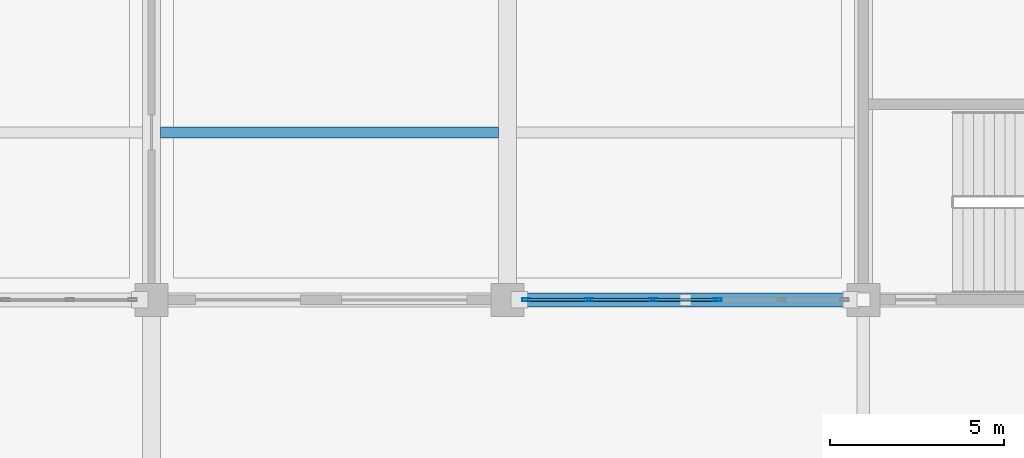
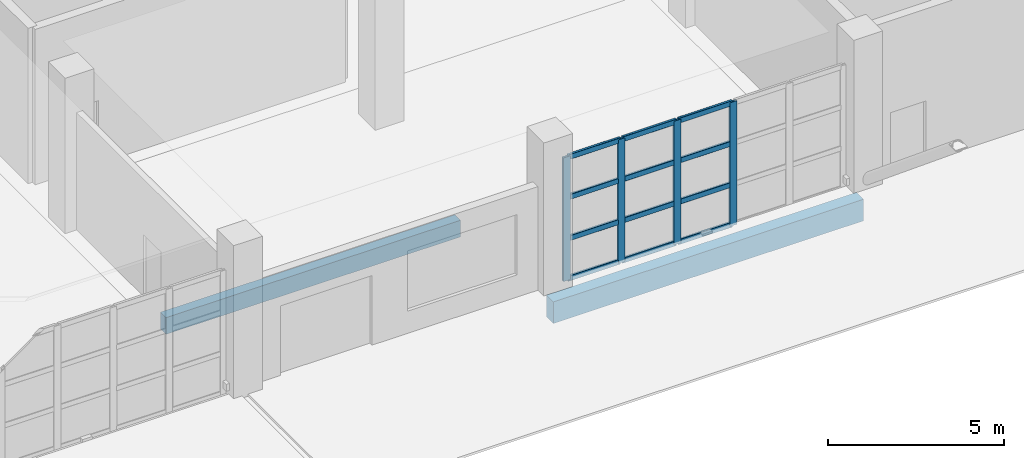
# One storey, part 56 of 124: 16 members, 2 beams, 1 element without a shape of its own.
"""IFC4 building model written with IfcOpenShell, lengths in metres."""

import ifcopenshell
import ifcopenshell.guid

model = None  # the IFC model being written
_history = None  # IfcOwnerHistory: only IFC2X3 demands one
_inside = {}  # id of a spatial element -> (the spatial element, [elements in it])
_under = {}  # id of a project, library or spatial element -> (it, [spatial elements below it])
_declared = {}  # id of a project -> (the project, [libraries it declares])
_typed = {}  # id of a type object -> (the type object, [elements of that type])
_made_of = {}  # id of a material, layer set ... -> (it, [elements and type objects made of it])


def new_model(schema):
    """Start an empty IFC model of exactly this schema.

    Asked for "IFC4X3", IfcOpenShell would pick the latest addendum, in which some entities
    have other attributes; the version numbers below select the first issue.
    IFC2X3 requires an IfcOwnerHistory on every rooted entity: one is made here for all.
    """
    global model, _history
    if schema == "IFC4X3":
        model = ifcopenshell.file(schema_version=(4, 3, 0, 0))
    else:
        model = ifcopenshell.file(schema=schema)
    _inside.clear()
    _under.clear()
    _declared.clear()
    _typed.clear()
    _made_of.clear()
    _history = None
    if model.schema == "IFC2X3":
        org = make("IfcOrganization", Name="unknown")
        user = make(
            "IfcPersonAndOrganization",
            ThePerson=make("IfcPerson", FamilyName="unknown"),
            TheOrganization=org,
        )
        app = make(
            "IfcApplication",
            ApplicationDeveloper=org,
            Version="unknown",
            ApplicationFullName="unknown",
            ApplicationIdentifier="unknown",
        )
        _history = make(
            "IfcOwnerHistory",
            OwningUser=user,
            OwningApplication=app,
            ChangeAction="ADDED",
            CreationDate=0,
        )
    return model


def make(cls, **values):
    """One entity of the class cls with the attributes given. An attribute that is None is left unset."""
    return model.create_entity(
        cls, **{name: value for name, value in values.items() if value is not None}
    )


def rooted(cls, **values):
    """An entity with a GlobalId (a new one), such as an element, a storey or a relation."""
    return make(cls, GlobalId=ifcopenshell.guid.new(), OwnerHistory=_history, **values)


def si_unit(unit_type, name, prefix=None):
    """IfcSIUnit, for example si_unit("LENGTHUNIT", "METRE", prefix="MILLI")."""
    return make("IfcSIUnit", UnitType=unit_type, Prefix=prefix, Name=name)


def assignment(units):
    """IfcUnitAssignment: the units of a project."""
    return None if units is None else make("IfcUnitAssignment", Units=units)


def point(xyz):
    """IfcCartesianPoint."""
    return None if xyz is None else make("IfcCartesianPoint", Coordinates=xyz)


def direction(xyz):
    """IfcDirection."""
    return None if xyz is None else make("IfcDirection", DirectionRatios=xyz)


def frame(location, z_axis=None, x_axis=None):
    """IfcAxis2Placement3D, a coordinate frame: its origin and axes. An axis left out is left unset."""
    return make(
        "IfcAxis2Placement3D",
        Location=point(location),
        Axis=direction(z_axis),
        RefDirection=direction(x_axis),
    )


def frame_2d(location, x_axis=None):
    """IfcAxis2Placement2D, a coordinate frame in the plane: its origin and x axis."""
    return make(
        "IfcAxis2Placement2D", Location=point(location), RefDirection=direction(x_axis)
    )


def origin():
    """The frame at (0, 0, 0) with its axes left unset."""
    return frame((0.0, 0.0, 0.0))


def origin_2d():
    """The frame at (0, 0) in the plane with its x axis left unset."""
    return frame_2d((0.0, 0.0))


def place(relative_to, where):
    """IfcLocalPlacement: puts the frame where relative to a parent placement (None: the world)."""
    return make(
        "IfcLocalPlacement", PlacementRelTo=relative_to, RelativePlacement=where
    )


def context(
    kind, dimensions, precision=None, world=None, true_north=None, identifier=None
):
    """IfcGeometricRepresentationContext, for example the 3D "Model" context."""
    return make(
        "IfcGeometricRepresentationContext",
        ContextIdentifier=identifier,
        ContextType=kind,
        CoordinateSpaceDimension=dimensions,
        Precision=precision,
        WorldCoordinateSystem=world,
        TrueNorth=true_north,
    )


def subcontext(parent, identifier, kind, view, scale=None):
    """IfcGeometricRepresentationSubContext, for example "Body" below "Model"."""
    return make(
        "IfcGeometricRepresentationSubContext",
        ContextIdentifier=identifier,
        ContextType=kind,
        ParentContext=parent,
        TargetScale=scale,
        TargetView=view,
    )


def project(units=None, contexts=None):
    """IfcProject with its units and contexts."""
    return rooted(
        "IfcProject",
        Name="project",
        RepresentationContexts=contexts,
        UnitsInContext=assignment(units),
    )


def spatial(cls, under=None, at=None, **own):
    """A site, building, storey or space (cls), placed at a placement, below another one or the project."""
    s = rooted(cls, ObjectPlacement=at, **own)
    if under is not None:
        _under.setdefault(under.id(), (under, []))[1].append(s)
    return s


def profile(cls, at=None, kind="AREA", **sizes):
    """A parametric profile (cls). Its sizes go by their IFC names, for example OverallWidth=200.0."""
    return make(cls, ProfileType=kind, Position=at, **sizes)


def rectangle(**sizes):
    """IfcRectangleProfileDef."""
    return profile("IfcRectangleProfileDef", **sizes)


def hollow_rectangle(**sizes):
    """IfcRectangleHollowProfileDef."""
    return profile("IfcRectangleHollowProfileDef", **sizes)


def extrude(swept, where, along, depth):
    """IfcExtrudedAreaSolid: the profile swept, set in the frame where, extruded along a direction by depth."""
    return make(
        "IfcExtrudedAreaSolid",
        SweptArea=swept,
        Position=where,
        ExtrudedDirection=direction(along),
        Depth=depth,
    )


def shape(context_of_items, identifier, shape_type, items):
    """IfcShapeRepresentation: the items that make up one representation, for example the "Body"."""
    return make(
        "IfcShapeRepresentation",
        ContextOfItems=context_of_items,
        RepresentationIdentifier=identifier,
        RepresentationType=shape_type,
        Items=items,
    )


def material(Name=None, Category=None):
    """IfcMaterial."""
    return make("IfcMaterial", Name=Name, Category=Category)


def material_profile(
    of_material, cross_section, Name=None, Category=None, Priority=None
):
    """IfcMaterialProfile: a cross section and its material."""
    return make(
        "IfcMaterialProfile",
        Name=Name,
        Material=of_material,
        Profile=cross_section,
        Priority=Priority,
        Category=Category,
    )


def profile_set(profiles, Name=None, composite=None):
    """IfcMaterialProfileSet."""
    return make(
        "IfcMaterialProfileSet",
        Name=Name,
        MaterialProfiles=profiles,
        CompositeProfile=composite,
    )


def made_of(thing, what):
    """Note that an element or type object is made of a material, layer set ...; save() writes the relation."""
    if what is not None:
        _made_of.setdefault(what.id(), (what, []))[1].append(thing)
    return thing


def type_object(cls, material=None, **own):
    """A type object (cls), such as IfcWallType, which elements share."""
    return made_of(rooted(cls, **own), material)


def element(
    cls,
    number,
    at=None,
    inside=None,
    cuts=None,
    type_object=None,
    material=None,
    context=None,
    identifier="Body",
    shape_type=None,
    held_by="IfcProductDefinitionShape",
    body=None,
    shapes=None,
    **own,
):
    """One element of the class cls, such as IfcWall. Its Tag is "e" and its number.

    at: its placement. inside: the storey or other place that contains it. cuts: it is an
    opening in that element (IfcRelVoidsElement). A single representation is given by context,
    identifier, shape_type and body (its items); several are given by shapes. held_by: the class
    of the entity that holds the representations. save() writes the other relations.
    """
    e = rooted(cls, Tag="e%d" % number, ObjectPlacement=at, **own)
    if body is not None:
        shapes = [shape(context, identifier, shape_type, body)]
    if shapes is not None:
        e.Representation = make(held_by, Representations=shapes)
    if inside is not None:
        _inside.setdefault(inside.id(), (inside, []))[1].append(e)
    if cuts is not None:
        rooted(
            "IfcRelVoidsElement", RelatingBuildingElement=cuts, RelatedOpeningElement=e
        )
    if type_object is not None:
        _typed.setdefault(type_object.id(), (type_object, []))[1].append(e)
    return made_of(e, material)


def aggregate(whole, parts):
    """IfcRelAggregates: a whole, such as a stair, and the parts it consists of."""
    return rooted("IfcRelAggregates", RelatingObject=whole, RelatedObjects=parts)


def save(model, path):
    """Write the relations noted so far, then the file.

    IfcRelAggregates (storeys below a building ...), IfcRelContainedInSpatialStructure (elements
    in a storey), IfcRelDefinesByType, IfcRelAssociatesMaterial and IfcRelDeclares: one each for
    every whole, place, type object, material and project.
    """
    for whole, parts in _under.values():
        aggregate(whole, parts)
    for where, things in _inside.values():
        rooted(
            "IfcRelContainedInSpatialStructure",
            RelatedElements=things,
            RelatingStructure=where,
        )
    for kind, things in _typed.values():
        rooted("IfcRelDefinesByType", RelatedObjects=things, RelatingType=kind)
    for what, things in _made_of.values():
        rooted("IfcRelAssociatesMaterial", RelatedObjects=things, RelatingMaterial=what)
    for by, libraries in _declared.values():
        rooted("IfcRelDeclares", RelatingContext=by, RelatedDefinitions=libraries)
    model.write(path)


model = new_model("IFC4")

# Units and contexts
model_context = context("Model", 3, precision=1e-05, world=origin(), true_north=direction((0.0, 1.0)))
body_context = subcontext(model_context, "Body", "Model", "MODEL_VIEW")
ifc_project = project(units=[si_unit("LENGTHUNIT", "METRE"), si_unit("AREAUNIT", "SQUARE_METRE"), si_unit("VOLUMEUNIT", "CUBIC_METRE"), si_unit("PLANEANGLEUNIT", "RADIAN"), si_unit("MASSUNIT", "GRAM", prefix="KILO")], contexts=[model_context])

# Site, building, storey
site_placement = place(None, origin())
site = spatial("IfcSite", under=ifc_project, at=site_placement, CompositionType="ELEMENT")
building_placement = place(site_placement, origin())
building = spatial("IfcBuilding", under=site, at=building_placement, Name="Brelvane Convention Centre", CompositionType="ELEMENT")
storey_placement = place(building_placement, origin())
storey = spatial("IfcBuildingStorey", under=building, at=storey_placement, Name="L00", CompositionType="ELEMENT", Elevation=0.0)

# Curtain wall, members
ifc_material_1 = material(Name="Anodised Aluminium Alloy 6063-T6", Category="aluminium")
curtain_wall_type = type_object("IfcCurtainWallType", Name="Curtain Wall CW-CONC", PredefinedType="USERDEFINED", material=ifc_material_1)
curtain_wall_placement = place(storey_placement, origin())
curtain_wall = element("IfcCurtainWall", 1, at=curtain_wall_placement, inside=storey, type_object=curtain_wall_type, Name="Curtain Wall CW-CONC L00-V1S-19", ObjectType="UNITISED", PredefinedType="USERDEFINED")
ifc_material_2 = material(Name="Anodised Aluminium Alloy 6063-T6", Category="aluminium")
ifc_material_profile_1 = material_profile(ifc_material_2, hollow_rectangle(XDim=0.080078125, YDim=0.239990234375, WallThickness=0.006103515625, InnerFilletRadius=0.006103515625, OuterFilletRadius=0.011962890625, at=origin_2d()), Name="ALU-M 240x80x6.0")
ifc_profile_set_1 = profile_set([ifc_material_profile_1], Name="Anodised Aluminium Alloy 6063-T6")
member_type_1 = type_object("IfcMemberType", Name="Curtain Mullion CW-M1", PredefinedType="MULLION", material=ifc_profile_set_1)
member_1_placement = place(storey_placement, frame((184.139892578125, 19.199951171875, 0.0), z_axis=(0.0, 0.0, 1.0), x_axis=(0.0, 1.0, 0.0)))
member_1 = element("IfcMember", 2, at=member_1_placement, type_object=member_type_1, Name="CW-CONC mullion 1", PredefinedType="MULLION", context=body_context, shape_type="SweptSolid", body=[
    extrude(hollow_rectangle(XDim=0.080078125, YDim=0.239990234375, WallThickness=0.006103515625, InnerFilletRadius=0.006103515625, OuterFilletRadius=0.011962890625, at=origin_2d()), origin(), (0.0, 0.0, 1.0), 4.300048828125),
])
member_2_placement = place(storey_placement, frame((185.93994140625, 19.199951171875, 0.0), z_axis=(0.0, 0.0, 1.0), x_axis=(0.0, 1.0, 0.0)))
member_2 = element("IfcMember", 3, at=member_2_placement, type_object=member_type_1, Name="CW-CONC mullion 2", PredefinedType="MULLION", context=body_context, shape_type="SweptSolid", body=[
    extrude(hollow_rectangle(XDim=0.080078125, YDim=0.239990234375, WallThickness=0.006103515625, InnerFilletRadius=0.006103515625, OuterFilletRadius=0.011962890625, at=origin_2d()), origin(), (0.0, 0.0, 1.0), 4.300048828125),
])
member_3_placement = place(storey_placement, frame((187.780029296875, 19.199951171875, 0.0), z_axis=(0.0, 0.0, 1.0), x_axis=(0.0, 1.0, 0.0)))
member_3 = element("IfcMember", 4, at=member_3_placement, type_object=member_type_1, Name="CW-CONC mullion 3", PredefinedType="MULLION", context=body_context, shape_type="SweptSolid", body=[
    extrude(hollow_rectangle(XDim=0.080078125, YDim=0.239990234375, WallThickness=0.006103515625, InnerFilletRadius=0.006103515625, OuterFilletRadius=0.011962890625, at=origin_2d()), origin(), (0.0, 0.0, 1.0), 4.300048828125),
])
member_4_placement = place(storey_placement, frame((189.6201171875, 19.199951171875, 0.0), z_axis=(0.0, 0.0, 1.0), x_axis=(0.0, 1.0, 0.0)))
member_4 = element("IfcMember", 5, at=member_4_placement, type_object=member_type_1, Name="CW-CONC mullion 4", PredefinedType="MULLION", context=body_context, shape_type="SweptSolid", body=[
    extrude(hollow_rectangle(XDim=0.080078125, YDim=0.239990234375, WallThickness=0.006103515625, InnerFilletRadius=0.006103515625, OuterFilletRadius=0.011962890625, at=origin_2d()), origin(), (0.0, 0.0, 1.0), 4.300048828125),
])
ifc_material_3 = material(Name="Anodised Aluminium Alloy 6063-T6", Category="aluminium")
ifc_material_profile_2 = material_profile(ifc_material_3, hollow_rectangle(XDim=0.080078125, YDim=0.179931640625, WallThickness=0.0048828125, InnerFilletRadius=0.0048828125, OuterFilletRadius=0.010009765625, at=origin_2d()), Name="ALU-T 180x80x5.0")
ifc_profile_set_2 = profile_set([ifc_material_profile_2], Name="Anodised Aluminium Alloy 6063-T6")
member_type_2 = type_object("IfcMemberType", Name="Curtain Transom CW-T1", PredefinedType="USERDEFINED", material=ifc_profile_set_2)
member_5_placement = place(storey_placement, frame((184.179931640625, 19.199951171875, 0.0400390625), z_axis=(1.0, 0.0, 0.0), x_axis=(0.0, 1.0, 0.0)))
member_5 = element("IfcMember", 6, at=member_5_placement, type_object=member_type_2, Name="CW-CONC transom 1.1", ObjectType="TRANSOM", PredefinedType="USERDEFINED", context=body_context, shape_type="SweptSolid", body=[
    extrude(hollow_rectangle(XDim=0.080078125, YDim=0.179931640625, WallThickness=0.0048828125, InnerFilletRadius=0.0048828125, OuterFilletRadius=0.010009765625, at=origin_2d()), origin(), (0.0, 0.0, 1.0), 1.719970703125),
])
member_6_placement = place(storey_placement, frame((184.179931640625, 19.199951171875, 1.433349609375), z_axis=(1.0, 0.0, 0.0), x_axis=(0.0, 1.0, 0.0)))
member_6 = element("IfcMember", 7, at=member_6_placement, type_object=member_type_2, Name="CW-CONC transom 1.2", ObjectType="TRANSOM", PredefinedType="USERDEFINED", context=body_context, shape_type="SweptSolid", body=[
    extrude(hollow_rectangle(XDim=0.080078125, YDim=0.179931640625, WallThickness=0.0048828125, InnerFilletRadius=0.0048828125, OuterFilletRadius=0.010009765625, at=origin_2d()), origin(), (0.0, 0.0, 1.0), 1.719970703125),
])
member_7_placement = place(storey_placement, frame((184.179931640625, 19.199951171875, 2.86669921875), z_axis=(1.0, 0.0, 0.0), x_axis=(0.0, 1.0, 0.0)))
member_7 = element("IfcMember", 8, at=member_7_placement, type_object=member_type_2, Name="CW-CONC transom 1.3", ObjectType="TRANSOM", PredefinedType="USERDEFINED", context=body_context, shape_type="SweptSolid", body=[
    extrude(hollow_rectangle(XDim=0.080078125, YDim=0.179931640625, WallThickness=0.0048828125, InnerFilletRadius=0.0048828125, OuterFilletRadius=0.010009765625, at=origin_2d()), origin(), (0.0, 0.0, 1.0), 1.719970703125),
])
member_8_placement = place(storey_placement, frame((184.179931640625, 19.199951171875, 4.260009765625), z_axis=(1.0, 0.0, 0.0), x_axis=(0.0, 1.0, 0.0)))
member_8 = element("IfcMember", 9, at=member_8_placement, type_object=member_type_2, Name="CW-CONC transom 1.4", ObjectType="TRANSOM", PredefinedType="USERDEFINED", context=body_context, shape_type="SweptSolid", body=[
    extrude(hollow_rectangle(XDim=0.080078125, YDim=0.179931640625, WallThickness=0.0048828125, InnerFilletRadius=0.0048828125, OuterFilletRadius=0.010009765625, at=origin_2d()), origin(), (0.0, 0.0, 1.0), 1.719970703125),
])
member_9_placement = place(storey_placement, frame((185.97998046875, 19.199951171875, 0.0400390625), z_axis=(1.0, 0.0, 0.0), x_axis=(0.0, 1.0, 0.0)))
member_9 = element("IfcMember", 10, at=member_9_placement, type_object=member_type_2, Name="CW-CONC transom 2.1", ObjectType="TRANSOM", PredefinedType="USERDEFINED", context=body_context, shape_type="SweptSolid", body=[
    extrude(hollow_rectangle(XDim=0.080078125, YDim=0.179931640625, WallThickness=0.0048828125, InnerFilletRadius=0.0048828125, OuterFilletRadius=0.010009765625, at=origin_2d()), origin(), (0.0, 0.0, 1.0), 1.760009765625),
])
member_10_placement = place(storey_placement, frame((185.97998046875, 19.199951171875, 1.433349609375), z_axis=(1.0, 0.0, 0.0), x_axis=(0.0, 1.0, 0.0)))
member_10 = element("IfcMember", 11, at=member_10_placement, type_object=member_type_2, Name="CW-CONC transom 2.2", ObjectType="TRANSOM", PredefinedType="USERDEFINED", context=body_context, shape_type="SweptSolid", body=[
    extrude(hollow_rectangle(XDim=0.080078125, YDim=0.179931640625, WallThickness=0.0048828125, InnerFilletRadius=0.0048828125, OuterFilletRadius=0.010009765625, at=origin_2d()), origin(), (0.0, 0.0, 1.0), 1.760009765625),
])
member_11_placement = place(storey_placement, frame((185.97998046875, 19.199951171875, 2.86669921875), z_axis=(1.0, 0.0, 0.0), x_axis=(0.0, 1.0, 0.0)))
member_11 = element("IfcMember", 12, at=member_11_placement, type_object=member_type_2, Name="CW-CONC transom 2.3", ObjectType="TRANSOM", PredefinedType="USERDEFINED", context=body_context, shape_type="SweptSolid", body=[
    extrude(hollow_rectangle(XDim=0.080078125, YDim=0.179931640625, WallThickness=0.0048828125, InnerFilletRadius=0.0048828125, OuterFilletRadius=0.010009765625, at=origin_2d()), origin(), (0.0, 0.0, 1.0), 1.760009765625),
])
member_12_placement = place(storey_placement, frame((185.97998046875, 19.199951171875, 4.260009765625), z_axis=(1.0, 0.0, 0.0), x_axis=(0.0, 1.0, 0.0)))
member_12 = element("IfcMember", 13, at=member_12_placement, type_object=member_type_2, Name="CW-CONC transom 2.4", ObjectType="TRANSOM", PredefinedType="USERDEFINED", context=body_context, shape_type="SweptSolid", body=[
    extrude(hollow_rectangle(XDim=0.080078125, YDim=0.179931640625, WallThickness=0.0048828125, InnerFilletRadius=0.0048828125, OuterFilletRadius=0.010009765625, at=origin_2d()), origin(), (0.0, 0.0, 1.0), 1.760009765625),
])
member_13_placement = place(storey_placement, frame((187.820068359375, 19.199951171875, 0.0400390625), z_axis=(1.0, 0.0, 0.0), x_axis=(0.0, 1.0, 0.0)))
member_13 = element("IfcMember", 14, at=member_13_placement, type_object=member_type_2, Name="CW-CONC transom 3.1", ObjectType="TRANSOM", PredefinedType="USERDEFINED", context=body_context, shape_type="SweptSolid", body=[
    extrude(hollow_rectangle(XDim=0.080078125, YDim=0.179931640625, WallThickness=0.0048828125, InnerFilletRadius=0.0048828125, OuterFilletRadius=0.010009765625, at=origin_2d()), origin(), (0.0, 0.0, 1.0), 1.760009765625),
])
member_14_placement = place(storey_placement, frame((187.820068359375, 19.199951171875, 1.433349609375), z_axis=(1.0, 0.0, 0.0), x_axis=(0.0, 1.0, 0.0)))
member_14 = element("IfcMember", 15, at=member_14_placement, type_object=member_type_2, Name="CW-CONC transom 3.2", ObjectType="TRANSOM", PredefinedType="USERDEFINED", context=body_context, shape_type="SweptSolid", body=[
    extrude(hollow_rectangle(XDim=0.080078125, YDim=0.179931640625, WallThickness=0.0048828125, InnerFilletRadius=0.0048828125, OuterFilletRadius=0.010009765625, at=origin_2d()), origin(), (0.0, 0.0, 1.0), 1.760009765625),
])
member_15_placement = place(storey_placement, frame((187.820068359375, 19.199951171875, 2.86669921875), z_axis=(1.0, 0.0, 0.0), x_axis=(0.0, 1.0, 0.0)))
member_15 = element("IfcMember", 16, at=member_15_placement, type_object=member_type_2, Name="CW-CONC transom 3.3", ObjectType="TRANSOM", PredefinedType="USERDEFINED", context=body_context, shape_type="SweptSolid", body=[
    extrude(hollow_rectangle(XDim=0.080078125, YDim=0.179931640625, WallThickness=0.0048828125, InnerFilletRadius=0.0048828125, OuterFilletRadius=0.010009765625, at=origin_2d()), origin(), (0.0, 0.0, 1.0), 1.760009765625),
])
member_16_placement = place(storey_placement, frame((187.820068359375, 19.199951171875, 4.260009765625), z_axis=(1.0, 0.0, 0.0), x_axis=(0.0, 1.0, 0.0)))
member_16 = element("IfcMember", 17, at=member_16_placement, type_object=member_type_2, Name="CW-CONC transom 3.4", ObjectType="TRANSOM", PredefinedType="USERDEFINED", context=body_context, shape_type="SweptSolid", body=[
    extrude(hollow_rectangle(XDim=0.080078125, YDim=0.179931640625, WallThickness=0.0048828125, InnerFilletRadius=0.0048828125, OuterFilletRadius=0.010009765625, at=origin_2d()), origin(), (0.0, 0.0, 1.0), 1.760009765625),
])
aggregate(curtain_wall, [member_1, member_2, member_3, member_4, member_5, member_6, member_7, member_8, member_9, member_10, member_11, member_12, member_13, member_14, member_15, member_16])

# Beams
ifc_material_4 = material(Name="Concrete M40", Category="concrete")
ifc_material_profile_3 = material_profile(ifc_material_4, rectangle(XDim=0.320068359375, YDim=0.580078125, at=origin_2d()), Name="RC 320x580")
ifc_profile_set_3 = profile_set([ifc_material_profile_3], Name="Concrete M40")
beam_type_1 = type_object("IfcBeamType", Name="RC Joist J-RC3 (RC 320x580)", PredefinedType="JOIST", material=ifc_profile_set_3)
beam_1_placement = place(storey_placement, frame((173.659912109375, 24.0, -0.75), z_axis=(1.0, 0.0, 0.0), x_axis=(0.0, 1.0, 0.0)))
element("IfcBeam", 18, at=beam_1_placement, inside=storey, type_object=beam_type_1, Name="L00 Secondary Joist 18-19/CD", PredefinedType="JOIST", context=body_context, shape_type="SweptSolid", body=[
    extrude(rectangle(XDim=0.320068359375, YDim=0.580078125, at=origin_2d()), origin(), (0.0, 0.0, 1.0), 9.68017578125),
])
ifc_material_5 = material(Name="Concrete M40", Category="concrete")
ifc_material_profile_4 = material_profile(ifc_material_5, rectangle(XDim=0.39990234375, YDim=0.75, at=origin_2d()), Name="RC 400x750")
ifc_profile_set_4 = profile_set([ifc_material_profile_4], Name="Concrete M40")
beam_type_2 = type_object("IfcBeamType", Name="RC Spandrel SP-RC1 (RC 400x750)", PredefinedType="SPANDREL", material=ifc_profile_set_4)
beam_2_placement = place(storey_placement, frame((183.60009765625, 19.199951171875, -0.8349609375), z_axis=(1.0, 0.0, 0.0), x_axis=(0.0, 1.0, 0.0)))
element("IfcBeam", 19, at=beam_2_placement, inside=storey, type_object=beam_type_2, Name="L00 Beam 19-20/C", PredefinedType="SPANDREL", context=body_context, shape_type="SweptSolid", body=[
    extrude(rectangle(XDim=0.39990234375, YDim=0.75, at=origin_2d()), origin(), (0.0, 0.0, 1.0), 10.199951171875),
])

save(model, "model.ifc")
